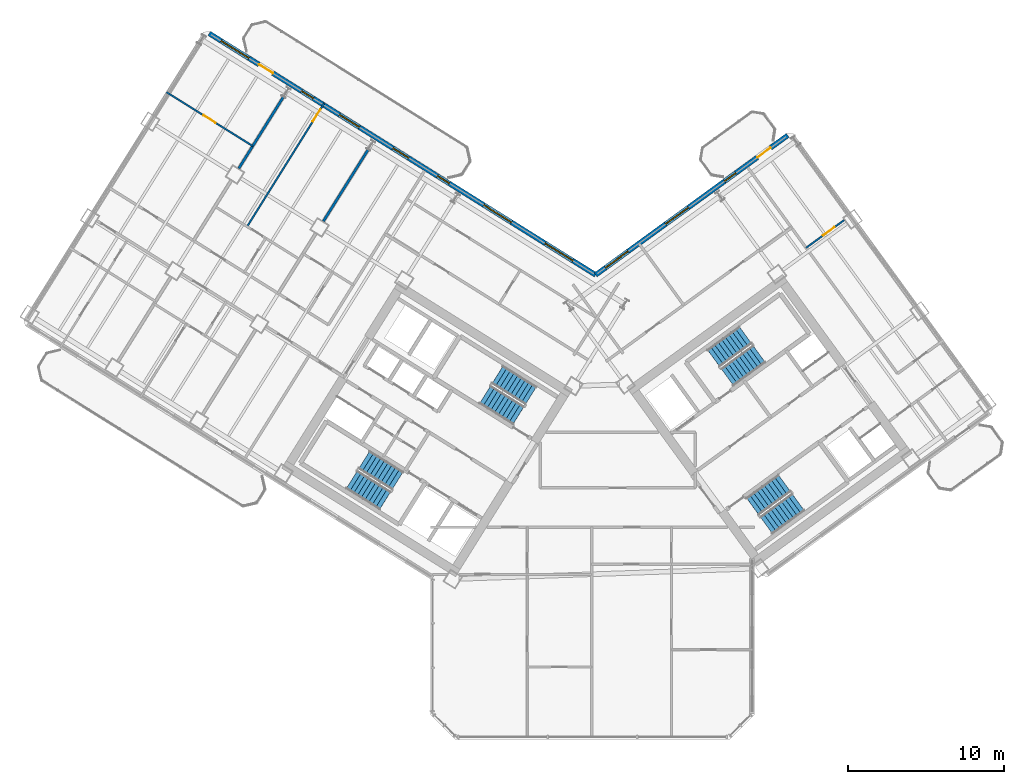
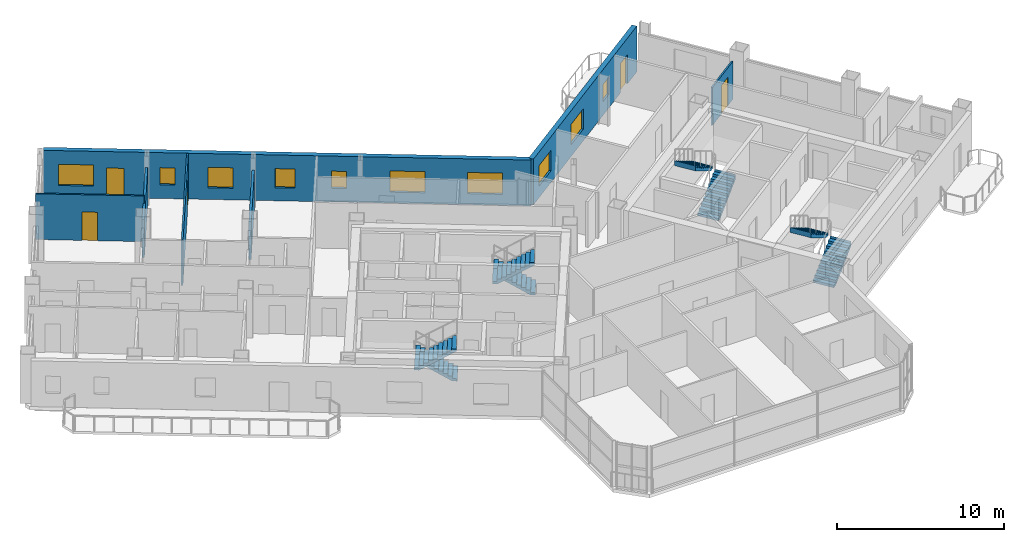
# One storey, part 16 of 21: 10 windows, 8 stair flights, 7 walls, 5 doors, 15 openings, 4 elements without a shape of their own.
"""IFC4 building model written with IfcOpenShell, lengths in metres."""

from ifc_helpers import new_model, si_unit, direction, frame, frame_2d, origin, place, context, subcontext, project, spatial, polyline, rectangle, outline, extrude, source, transform, mapped, material, layer, layer_set, type_object, element, fill, aggregate, save


model = new_model("IFC4")

# Units and contexts
model_context = context("Model", 3, precision=1e-05, world=origin(), true_north=direction((0.0, 1.0)))
body_context = subcontext(model_context, "Body", "Model", "MODEL_VIEW")
ifc_project = project(units=[si_unit("LENGTHUNIT", "METRE"), si_unit("AREAUNIT", "SQUARE_METRE"), si_unit("VOLUMEUNIT", "CUBIC_METRE"), si_unit("PLANEANGLEUNIT", "RADIAN"), si_unit("MASSUNIT", "GRAM", prefix="KILO")], contexts=[model_context])

# Site, building, storey
site_placement = place(None, origin())
site = spatial("IfcSite", under=ifc_project, at=site_placement, CompositionType="ELEMENT")
building_placement = place(site_placement, origin())
building = spatial("IfcBuilding", under=site, at=building_placement, Name="Tlacorven Tower", CompositionType="ELEMENT")
storey_placement = place(building_placement, frame((0.0, 0.0, 112.5)))
storey = spatial("IfcBuildingStorey", under=building, at=storey_placement, Name="L28", CompositionType="ELEMENT", Elevation=112.5)

# Walls
ifc_material_1 = material(Name="Gypsum plasterboard acoustic partition", Category="gypsum")
ifc_layer_1 = layer(ifc_material_1, 0.159912109375)
ifc_layer_set_1 = layer_set([ifc_layer_1], Name="Gypsum plasterboard acoustic partition")
wall_type_1 = type_object("IfcWallType", Name="WL-DEM-160", PredefinedType="PARTITIONING", material=ifc_layer_set_1)
for number, where, z_axis, x_axis, name in (
    (1, (27.607421875, 39.614990234375, 0.0), (0.0, 0.0, 1.0), (-0.529913610495, -0.848051628978, 0.0), "L28 WS Demising Wall 1"),
    (2, (22.179931640625, 43.00634765625, 0.0), (0.0, 0.0, 1.0), (-0.529913610495, -0.848051628978, 0.0), "L28 WS Demising Wall 2"),
):
    element("IfcWall", number, at=place(storey_placement, frame(where, z_axis=z_axis, x_axis=x_axis)), inside=storey, type_object=wall_type_1, Name=name, PredefinedType="PARTITIONING", context=body_context, shape_type="SweptSolid", body=[
        extrude(rectangle(XDim=5.40087890625, YDim=0.159912109375, at=frame_2d((2.700439453125, 0.0))), origin(), (0.0, 0.0, 1.0), 2.77490234375),
    ])

# Wall, openings, door, windows
ifc_material_2 = material(Name="Precast concrete C45/55", Category="concrete")
ifc_layer_2 = layer(ifc_material_2, 0.320068359375)
ifc_layer_set_2 = layer_set([ifc_layer_2], Name="Precast concrete C45/55")
wall_type_2 = type_object("IfcWallType", Name="WL-EXT-320", PredefinedType="STANDARD", material=ifc_layer_set_2)
wall_1_placement = place(storey_placement, frame((17.423828125, 47.083251953125, 0.0), z_axis=(0.0, 0.0, 1.0), x_axis=(0.848049927979, -0.529916332693, 0.0)))
wall_1 = element("IfcWall", 3, at=wall_1_placement, inside=storey, type_object=wall_type_2, Name="L28 Masonry-Frame Recessed Facade Wall 3", PredefinedType="STANDARD", context=body_context, shape_type="SweptSolid", body=[
    extrude(rectangle(XDim=29.22314453125, YDim=0.320068359375, at=frame_2d((14.611572265625, 0.0))), origin(), (0.0, 0.0, 1.0), 3.35009765625),
])
opening_1_placement = place(wall_1_placement, frame((3.77001953125, 0.0, 0.0)))
opening_1 = element("IfcOpeningElement", 4, at=opening_1_placement, cuts=wall_1, Name="Opening D06", PredefinedType="OPENING", context=body_context, shape_type="SweptSolid", body=[
    extrude(rectangle(XDim=1.050048828125, YDim=2.14990234375, at=frame_2d((0.52490234375, 1.074951171875))), frame((0.0, 0.169921875, 0.0), z_axis=(0.0, -1.0, 0.0), x_axis=(1.0, 0.0, 0.0)), (0.0, 0.0, 1.0), 0.340087890625),
])
opening_2_placement = place(wall_1_placement, frame((0.89990234375, 0.0, 0.800048828125)))
opening_2 = element("IfcOpeningElement", 5, at=opening_2_placement, cuts=wall_1, Name="Opening WN04", PredefinedType="OPENING", context=body_context, shape_type="SweptSolid", body=[
    extrude(rectangle(XDim=2.10009765625, YDim=1.550048828125, at=frame_2d((1.050048828125, 0.77490234375))), frame((0.0, 0.169921875, 0.0), z_axis=(0.0, -1.0, 0.0), x_axis=(1.0, 0.0, 0.0)), (0.0, 0.0, 1.0), 0.340087890625),
])
opening_3_placement = place(wall_1_placement, frame((6.97216796875, 0.0, 1.0)))
opening_3 = element("IfcOpeningElement", 6, at=opening_3_placement, cuts=wall_1, Name="Opening WN05", PredefinedType="OPENING", context=body_context, shape_type="SweptSolid", body=[
    extrude(rectangle(XDim=0.89990234375, YDim=1.25, at=frame_2d((0.449951171875, 0.625))), frame((0.0, 0.169921875, 0.0), z_axis=(0.0, -1.0, 0.0), x_axis=(1.0, 0.0, 0.0)), (0.0, 0.0, 1.0), 0.340087890625),
])
opening_4_placement = place(wall_1_placement, frame((9.84716796875, 0.0, 0.85009765625)))
opening_4 = element("IfcOpeningElement", 7, at=opening_4_placement, cuts=wall_1, Name="Opening WN02", PredefinedType="OPENING", context=body_context, shape_type="SweptSolid", body=[
    extrude(rectangle(XDim=1.5, YDim=1.5, at=frame_2d((0.75, 0.75))), frame((0.0, 0.169921875, 0.0), z_axis=(0.0, -1.0, 0.0), x_axis=(1.0, 0.0, 0.0)), (0.0, 0.0, 1.0), 0.340087890625),
])
opening_5_placement = place(wall_1_placement, frame((13.888671875, 0.0, 0.949951171875)))
opening_5 = element("IfcOpeningElement", 8, at=opening_5_placement, cuts=wall_1, Name="Opening WN03", PredefinedType="OPENING", context=body_context, shape_type="SweptSolid", body=[
    extrude(rectangle(XDim=1.199951171875, YDim=1.39990234375, at=frame_2d((0.60009765625, 0.699951171875))), frame((0.0, 0.169921875, 0.0), z_axis=(0.0, -1.0, 0.0), x_axis=(1.0, 0.0, 0.0)), (0.0, 0.0, 1.0), 0.340087890625),
])
opening_6_placement = place(wall_1_placement, frame((17.253662109375, 0.0, 1.0)))
opening_6 = element("IfcOpeningElement", 9, at=opening_6_placement, cuts=wall_1, Name="Opening WN05", PredefinedType="OPENING", context=body_context, shape_type="SweptSolid", body=[
    extrude(rectangle(XDim=0.89990234375, YDim=1.25, at=frame_2d((0.449951171875, 0.625))), frame((0.0, 0.169921875, 0.0), z_axis=(0.0, -1.0, 0.0), x_axis=(1.0, 0.0, 0.0)), (0.0, 0.0, 1.0), 0.340087890625),
])
opening_7_placement = place(wall_1_placement, frame((20.763671875, 0.0, 0.800048828125)))
opening_7 = element("IfcOpeningElement", 10, at=opening_7_placement, cuts=wall_1, Name="Opening WN04", PredefinedType="OPENING", context=body_context, shape_type="SweptSolid", body=[
    extrude(rectangle(XDim=2.10009765625, YDim=1.550048828125, at=frame_2d((1.050048828125, 0.77490234375))), frame((0.0, 0.169921875, 0.0), z_axis=(0.0, -1.0, 0.0), x_axis=(1.0, 0.0, 0.0)), (0.0, 0.0, 1.0), 0.340087890625),
])
opening_8_placement = place(wall_1_placement, frame((25.4033203125, 0.0, 0.800048828125)))
opening_8 = element("IfcOpeningElement", 11, at=opening_8_placement, cuts=wall_1, Name="Opening WN04", PredefinedType="OPENING", context=body_context, shape_type="SweptSolid", body=[
    extrude(rectangle(XDim=2.10009765625, YDim=1.550048828125, at=frame_2d((1.050048828125, 0.77490234375))), frame((0.0, 0.169921875, 0.0), z_axis=(0.0, -1.0, 0.0), x_axis=(1.0, 0.0, 0.0)), (0.0, 0.0, 1.0), 0.340087890625),
])
ifc_material_3 = material(Name="Powder-coated aluminium and timber door", Category="wood")
door_type_1 = type_object("IfcDoorType", Name="DR-EXT-BALC-1050", OperationType="NOTDEFINED", PredefinedType="DOOR", material=ifc_material_3)
shared_shape_1 = source(origin(), body_context, "Body", "SweptSolid", [
    extrude(rectangle(XDim=1.050048828125, YDim=2.14990234375, at=frame_2d((0.52490234375, 1.074951171875))), frame((0.0, 0.02490234375, 0.0), z_axis=(0.0, -1.0, 0.0), x_axis=(1.0, 0.0, 0.0)), (0.0, 0.0, 1.0), 0.050048828125),
])
door_1_placement = place(opening_1_placement, origin())
door_1 = element("IfcDoor", 12, at=door_1_placement, inside=storey, type_object=door_type_1, Name="L28 Outdoor Access Door BAL-L28-W-IN", OperationType="SINGLE_SWING_RIGHT", OverallHeight=2.14990234375, OverallWidth=1.050048828125, PredefinedType="DOOR", context=body_context, shape_type="MappedRepresentation", body=[
    mapped(shared_shape_1, transform((0.0, 0.0, 0.0), scale=1.0)),
])
fill(opening_1, door_1)
ifc_material_4 = material(Name="Dark solar low-E double glazing in anodised aluminium frame", Category="aluminium")
window_type_1 = type_object("IfcWindowType", Name="WN-APT-2100X1750", PartitioningType="SINGLE_PANEL", PredefinedType="WINDOW", material=ifc_material_4)
shared_shape_2 = source(origin(), body_context, "Body", "SweptSolid", [
    extrude(rectangle(XDim=2.10009765625, YDim=1.550048828125, at=frame_2d((1.050048828125, 0.77490234375))), frame((0.0, 0.030029296875, 0.0), z_axis=(0.0, -1.0, 0.0), x_axis=(1.0, 0.0, 0.0)), (0.0, 0.0, 1.0), 0.06005859375),
])
window_1_placement = place(opening_2_placement, origin())
window_1 = element("IfcWindow", 13, at=window_1_placement, inside=storey, type_object=window_type_1, Name="L28 Recessed Masonry-Frame Window L28-03.1", OverallHeight=1.550048828125, OverallWidth=2.10009765625, PartitioningType="SINGLE_PANEL", PredefinedType="WINDOW", context=body_context, shape_type="MappedRepresentation", body=[
    mapped(shared_shape_2, transform((0.0, 0.0, 0.0), scale=1.0)),
])
fill(opening_2, window_1)
window_2_placement = place(opening_7_placement, origin())
window_2 = element("IfcWindow", 14, at=window_2_placement, inside=storey, type_object=window_type_1, Name="L28 Recessed Masonry-Frame Window L28-03.6", OverallHeight=1.550048828125, OverallWidth=2.10009765625, PartitioningType="SINGLE_PANEL", PredefinedType="WINDOW", context=body_context, shape_type="MappedRepresentation", body=[
    mapped(shared_shape_2, transform((0.0, 0.0, 0.0), scale=1.0)),
])
fill(opening_7, window_2)
window_3_placement = place(opening_8_placement, origin())
window_3 = element("IfcWindow", 15, at=window_3_placement, inside=storey, type_object=window_type_1, Name="L28 Recessed Masonry-Frame Window L28-03.7", OverallHeight=1.550048828125, OverallWidth=2.10009765625, PartitioningType="SINGLE_PANEL", PredefinedType="WINDOW", context=body_context, shape_type="MappedRepresentation", body=[
    mapped(shared_shape_2, transform((0.0, 0.0, 0.0), scale=1.0)),
])
fill(opening_8, window_3)
window_type_2 = type_object("IfcWindowType", Name="WN-APT-1200X1500", PartitioningType="SINGLE_PANEL", PredefinedType="WINDOW", material=ifc_material_4)
shared_shape_3 = source(origin(), body_context, "Body", "SweptSolid", [
    extrude(rectangle(XDim=1.199951171875, YDim=1.39990234375, at=frame_2d((0.60009765625, 0.699951171875))), frame((0.0, 0.030029296875, 0.0), z_axis=(0.0, -1.0, 0.0), x_axis=(1.0, 0.0, 0.0)), (0.0, 0.0, 1.0), 0.06005859375),
])
window_4_placement = place(opening_5_placement, origin())
window_4 = element("IfcWindow", 16, at=window_4_placement, inside=storey, type_object=window_type_2, Name="L28 Recessed Masonry-Frame Window L28-03.4", OverallHeight=1.39990234375, OverallWidth=1.199951171875, PartitioningType="SINGLE_PANEL", PredefinedType="WINDOW", context=body_context, shape_type="MappedRepresentation", body=[
    mapped(shared_shape_3, transform((0.0, 0.0, 0.0), scale=1.0)),
])
fill(opening_5, window_4)
window_type_3 = type_object("IfcWindowType", Name="WN-APT-1500X1650", PartitioningType="SINGLE_PANEL", PredefinedType="WINDOW", material=ifc_material_4)
shared_shape_4 = source(origin(), body_context, "Body", "SweptSolid", [
    extrude(rectangle(XDim=1.5, YDim=1.5, at=frame_2d((0.75, 0.75))), frame((0.0, 0.030029296875, 0.0), z_axis=(0.0, -1.0, 0.0), x_axis=(1.0, 0.0, 0.0)), (0.0, 0.0, 1.0), 0.06005859375),
])
window_5_placement = place(opening_4_placement, origin())
window_5 = element("IfcWindow", 17, at=window_5_placement, inside=storey, type_object=window_type_3, Name="L28 Recessed Masonry-Frame Window L28-03.3", OverallHeight=1.5, OverallWidth=1.5, PartitioningType="SINGLE_PANEL", PredefinedType="WINDOW", context=body_context, shape_type="MappedRepresentation", body=[
    mapped(shared_shape_4, transform((0.0, 0.0, 0.0), scale=1.0)),
])
fill(opening_4, window_5)
window_type_4 = type_object("IfcWindowType", Name="WN-APT-0900X1350", PartitioningType="SINGLE_PANEL", PredefinedType="WINDOW", material=ifc_material_4)
shared_shape_5 = source(origin(), body_context, "Body", "SweptSolid", [
    extrude(rectangle(XDim=0.89990234375, YDim=1.25, at=frame_2d((0.449951171875, 0.625))), frame((0.0, 0.030029296875, 0.0), z_axis=(0.0, -1.0, 0.0), x_axis=(1.0, 0.0, 0.0)), (0.0, 0.0, 1.0), 0.06005859375),
])
window_6_placement = place(opening_3_placement, origin())
window_6 = element("IfcWindow", 18, at=window_6_placement, inside=storey, type_object=window_type_4, Name="L28 Recessed Masonry-Frame Window L28-03.2", OverallHeight=1.25, OverallWidth=0.89990234375, PartitioningType="SINGLE_PANEL", PredefinedType="WINDOW", context=body_context, shape_type="MappedRepresentation", body=[
    mapped(shared_shape_5, transform((0.0, 0.0, 0.0), scale=1.0)),
])
fill(opening_3, window_6)
window_7_placement = place(opening_6_placement, origin())
window_7 = element("IfcWindow", 19, at=window_7_placement, inside=storey, type_object=window_type_4, Name="L28 Recessed Masonry-Frame Window L28-03.5", OverallHeight=1.25, OverallWidth=0.89990234375, PartitioningType="SINGLE_PANEL", PredefinedType="WINDOW", context=body_context, shape_type="MappedRepresentation", body=[
    mapped(shared_shape_5, transform((0.0, 0.0, 0.0), scale=1.0)),
])
fill(opening_6, window_7)

wall_2_placement = place(storey_placement, frame((42.20654296875, 31.597412109375, 0.0), z_axis=(0.0, 0.0, 1.0), x_axis=(0.809020333377, 0.587780656523, 0.0)))
wall_2 = element("IfcWall", 20, at=wall_2_placement, inside=storey, type_object=wall_type_2, Name="L28 Masonry-Frame Recessed Facade Wall 4", PredefinedType="STANDARD", context=body_context, shape_type="SweptSolid", body=[
    extrude(rectangle(XDim=15.222900390625, YDim=0.320068359375, at=frame_2d((7.611328125, 0.0))), origin(), (0.0, 0.0, 1.0), 3.35009765625),
])
opening_9_placement = place(wall_2_placement, frame((12.81982421875, 0.0, 0.0)))
opening_9 = element("IfcOpeningElement", 21, at=opening_9_placement, cuts=wall_2, Name="Opening D06", PredefinedType="OPENING", context=body_context, shape_type="SweptSolid", body=[
    extrude(rectangle(XDim=1.050048828125, YDim=2.14990234375, at=frame_2d((0.52490234375, 1.074951171875))), frame((0.0, 0.169921875, 0.0), z_axis=(0.0, -1.0, 0.0), x_axis=(1.0, 0.0, 0.0)), (0.0, 0.0, 1.0), 0.340087890625),
])
opening_10_placement = place(wall_2_placement, frame((0.774658203125, 0.0, 0.85009765625)))
opening_10 = element("IfcOpeningElement", 22, at=opening_10_placement, cuts=wall_2, Name="Opening WN01", PredefinedType="OPENING", context=body_context, shape_type="SweptSolid", body=[
    extrude(rectangle(XDim=1.800048828125, YDim=1.5, at=frame_2d((0.89990234375, 0.75))), frame((0.0, 0.169921875, 0.0), z_axis=(0.0, -1.0, 0.0), x_axis=(1.0, 0.0, 0.0)), (0.0, 0.0, 1.0), 0.340087890625),
])
opening_11_placement = place(wall_2_placement, frame((5.54443359375, 0.0, 0.85009765625)))
opening_11 = element("IfcOpeningElement", 23, at=opening_11_placement, cuts=wall_2, Name="Opening WN01", PredefinedType="OPENING", context=body_context, shape_type="SweptSolid", body=[
    extrude(rectangle(XDim=1.800048828125, YDim=1.5, at=frame_2d((0.89990234375, 0.75))), frame((0.0, 0.169921875, 0.0), z_axis=(0.0, -1.0, 0.0), x_axis=(1.0, 0.0, 0.0)), (0.0, 0.0, 1.0), 0.340087890625),
])
opening_12_placement = place(wall_2_placement, frame((10.219482421875, 0.0, 1.0)))
opening_12 = element("IfcOpeningElement", 24, at=opening_12_placement, cuts=wall_2, Name="Opening WN05", PredefinedType="OPENING", context=body_context, shape_type="SweptSolid", body=[
    extrude(rectangle(XDim=0.89990234375, YDim=1.25, at=frame_2d((0.449951171875, 0.625))), frame((0.0, 0.169921875, 0.0), z_axis=(0.0, -1.0, 0.0), x_axis=(1.0, 0.0, 0.0)), (0.0, 0.0, 1.0), 0.340087890625),
])
door_2_placement = place(opening_9_placement, origin())
door_2 = element("IfcDoor", 25, at=door_2_placement, inside=storey, type_object=door_type_1, Name="L28 Outdoor Access Door BAL-L28-E-IN", OperationType="SINGLE_SWING_RIGHT", OverallHeight=2.14990234375, OverallWidth=1.050048828125, PredefinedType="DOOR", context=body_context, shape_type="MappedRepresentation", body=[
    mapped(shared_shape_1, transform((0.0, 0.0, 0.0), scale=1.0)),
])
fill(opening_9, door_2)
window_type_5 = type_object("IfcWindowType", Name="WN-APT-1800X1650", PartitioningType="SINGLE_PANEL", PredefinedType="WINDOW", material=ifc_material_4)
shared_shape_6 = source(origin(), body_context, "Body", "SweptSolid", [
    extrude(rectangle(XDim=1.800048828125, YDim=1.5, at=frame_2d((0.89990234375, 0.75))), frame((0.0, 0.030029296875, 0.0), z_axis=(0.0, -1.0, 0.0), x_axis=(1.0, 0.0, 0.0)), (0.0, 0.0, 1.0), 0.06005859375),
])
window_8_placement = place(opening_10_placement, origin())
window_8 = element("IfcWindow", 26, at=window_8_placement, inside=storey, type_object=window_type_5, Name="L28 Recessed Masonry-Frame Window L28-04.1", OverallHeight=1.5, OverallWidth=1.800048828125, PartitioningType="SINGLE_PANEL", PredefinedType="WINDOW", context=body_context, shape_type="MappedRepresentation", body=[
    mapped(shared_shape_6, transform((0.0, 0.0, 0.0), scale=1.0)),
])
fill(opening_10, window_8)
window_9_placement = place(opening_11_placement, origin())
window_9 = element("IfcWindow", 27, at=window_9_placement, inside=storey, type_object=window_type_5, Name="L28 Recessed Masonry-Frame Window L28-04.2", OverallHeight=1.5, OverallWidth=1.800048828125, PartitioningType="SINGLE_PANEL", PredefinedType="WINDOW", context=body_context, shape_type="MappedRepresentation", body=[
    mapped(shared_shape_6, transform((0.0, 0.0, 0.0), scale=1.0)),
])
fill(opening_11, window_9)
window_10_placement = place(opening_12_placement, origin())
window_10 = element("IfcWindow", 28, at=window_10_placement, inside=storey, type_object=window_type_4, Name="L28 Recessed Masonry-Frame Window L28-04.3", OverallHeight=1.25, OverallWidth=0.89990234375, PartitioningType="SINGLE_PANEL", PredefinedType="WINDOW", context=body_context, shape_type="MappedRepresentation", body=[
    mapped(shared_shape_5, transform((0.0, 0.0, 0.0), scale=1.0)),
])
fill(opening_12, window_10)

# Wall, opening, door
ifc_material_5 = material(Name="Gypsum plasterboard partition", Category="gypsum")
ifc_layer_3 = layer(ifc_material_5, 0.110107421875)
ifc_layer_set_3 = layer_set([ifc_layer_3], Name="Gypsum plasterboard partition")
wall_type_3 = type_object("IfcWallType", Name="WL-INT-110", PredefinedType="PARTITIONING", material=ifc_layer_set_3)
wall_3_placement = place(storey_placement, frame((24.802490234375, 42.614013671875, 0.0), z_axis=(0.0, 0.0, 1.0), x_axis=(-0.529926099889, -0.848043824727, 0.0)))
wall_3 = element("IfcWall", 29, at=wall_3_placement, inside=storey, type_object=wall_type_3, Name="L28 partition 67", PredefinedType="PARTITIONING", context=body_context, shape_type="SweptSolid", body=[
    extrude(rectangle(XDim=9.33984375, YDim=0.110107421875, at=frame_2d((4.669921875, 0.0))), origin(), (0.0, 0.0, 1.0), 3.340087890625),
])
opening_13_placement = place(wall_3_placement, frame((0.469970703125, 0.0, 0.0)))
opening_13 = element("IfcOpeningElement", 30, at=opening_13_placement, cuts=wall_3, Name="Opening D12", PredefinedType="OPENING", context=body_context, shape_type="SweptSolid", body=[
    extrude(rectangle(XDim=0.919921875, YDim=2.080078125, at=frame_2d((0.4599609375, 1.0400390625))), frame((0.0, 0.06494140625, 0.0), z_axis=(0.0, -1.0, 0.0), x_axis=(1.0, 0.0, 0.0)), (0.0, 0.0, 1.0), 0.130126953125),
])
door_type_2 = type_object("IfcDoorType", Name="DR-INT-ROOM-0920", OperationType="NOTDEFINED", PredefinedType="DOOR", material=ifc_material_3)
shared_shape_7 = source(origin(), body_context, "Body", "SweptSolid", [
    extrude(rectangle(XDim=0.919921875, YDim=2.080078125, at=frame_2d((0.4599609375, 1.0400390625))), frame((0.0, 0.02490234375, 0.0), z_axis=(0.0, -1.0, 0.0), x_axis=(1.0, 0.0, 0.0)), (0.0, 0.0, 1.0), 0.050048828125),
])
door_3_placement = place(opening_13_placement, origin())
door_3 = element("IfcDoor", 31, at=door_3_placement, inside=storey, type_object=door_type_2, Name="L28 door 037", OperationType="SINGLE_SWING_RIGHT", OverallHeight=2.080078125, OverallWidth=0.919921875, PredefinedType="DOOR", context=body_context, shape_type="MappedRepresentation", body=[
    mapped(shared_shape_7, transform((0.0, 0.0, 0.0), scale=1.0)),
])
fill(opening_13, door_3)

wall_4_placement = place(storey_placement, frame((20.21337890625, 39.859375, 0.0), z_axis=(0.0, 0.0, 1.0), x_axis=(-0.848048787466, 0.529918157905, 0.0)))
wall_4 = element("IfcWall", 32, at=wall_4_placement, inside=storey, type_object=wall_type_3, Name="L28 partition 68", PredefinedType="PARTITIONING", context=body_context, shape_type="SweptSolid", body=[
    extrude(rectangle(XDim=6.52001953125, YDim=0.110107421875, at=frame_2d((3.260009765625, 0.0))), origin(), (0.0, 0.0, 1.0), 3.340087890625),
])
opening_14_placement = place(wall_4_placement, frame((2.800048828125, 0.0, 0.0)))
opening_14 = element("IfcOpeningElement", 33, at=opening_14_placement, cuts=wall_4, Name="Opening D12", PredefinedType="OPENING", context=body_context, shape_type="SweptSolid", body=[
    extrude(rectangle(XDim=0.919921875, YDim=2.080078125, at=frame_2d((0.4599609375, 1.0400390625))), frame((0.0, 0.06494140625, 0.0), z_axis=(0.0, -1.0, 0.0), x_axis=(1.0, 0.0, 0.0)), (0.0, 0.0, 1.0), 0.130126953125),
])
door_4_placement = place(opening_14_placement, origin())
door_4 = element("IfcDoor", 34, at=door_4_placement, inside=storey, type_object=door_type_2, Name="L28 door 042", OperationType="SINGLE_SWING_LEFT", OverallHeight=2.080078125, OverallWidth=0.919921875, PredefinedType="DOOR", context=body_context, shape_type="MappedRepresentation", body=[
    mapped(shared_shape_7, transform((0.0, 0.0, 0.0), scale=1.0)),
])
fill(opening_14, door_4)

wall_5_placement = place(storey_placement, frame((55.70263671875, 33.333984375, 0.0), z_axis=(0.0, 0.0, 1.0), x_axis=(0.809021891479, 0.587778511948, 0.0)))
wall_5 = element("IfcWall", 35, at=wall_5_placement, inside=storey, type_object=wall_type_3, Name="L28 partition 97", PredefinedType="PARTITIONING", context=body_context, shape_type="SweptSolid", body=[
    extrude(rectangle(XDim=3.028076171875, YDim=0.110107421875, at=frame_2d((1.51416015625, 0.0))), origin(), (0.0, 0.0, 1.0), 2.77490234375),
])
opening_15_placement = place(wall_5_placement, frame((1.344970703125, 0.0, 0.0)))
opening_15 = element("IfcOpeningElement", 36, at=opening_15_placement, cuts=wall_5, Name="Opening D12", PredefinedType="OPENING", context=body_context, shape_type="SweptSolid", body=[
    extrude(rectangle(XDim=0.919921875, YDim=2.080078125, at=frame_2d((0.4599609375, 1.0400390625))), frame((0.0, 0.06494140625, 0.0), z_axis=(0.0, -1.0, 0.0), x_axis=(1.0, 0.0, 0.0)), (0.0, 0.0, 1.0), 0.130126953125),
])
door_5_placement = place(opening_15_placement, origin())
door_5 = element("IfcDoor", 37, at=door_5_placement, inside=storey, type_object=door_type_2, Name="L28 door 062", OperationType="SINGLE_SWING_LEFT", OverallHeight=2.080078125, OverallWidth=0.919921875, PredefinedType="DOOR", context=body_context, shape_type="MappedRepresentation", body=[
    mapped(shared_shape_7, transform((0.0, 0.0, 0.0), scale=1.0)),
])
fill(opening_15, door_5)

# Stair, stair flights
ifc_material_6 = material(Name="Concrete C40/50", Category="concrete")
stair_type = type_object("IfcStairType", Name="ST-CORE-DLG", PredefinedType="HALF_TURN_STAIR", material=ifc_material_6)
stair_1_placement = place(storey_placement, origin())
stair_1 = element("IfcStair", 38, at=stair_1_placement, inside=storey, type_object=stair_type, Name="L28 Protected Exit Stair West 1", PredefinedType="HALF_TURN_STAIR")
stair_flight_type = type_object("IfcStairFlightType", Name="SFL-RC-1380", PredefinedType="STRAIGHT", material=ifc_material_6)
shared_shape_8 = source(origin(), body_context, "Body", "SweptSolid", [
    extrude(outline(polyline([(-0.0029296875, -0.0029296875), (-0.0029296875, 0.179931640625), (0.280029296875, 0.179931640625), (0.280029296875, 0.360107421875), (0.56005859375, 0.360107421875), (0.56005859375, 0.5400390625), (0.840087890625, 0.5400390625), (0.840087890625, 0.719970703125), (1.1201171875, 0.719970703125), (1.1201171875, 0.89990234375), (1.39990234375, 0.89990234375), (1.39990234375, 1.080078125), (1.679931640625, 1.080078125), (1.679931640625, 1.260009765625), (1.9599609375, 1.260009765625), (1.9599609375, 1.43994140625), (2.239990234375, 1.43994140625), (2.239990234375, 1.6201171875), (2.52001953125, 1.6201171875), (2.52001953125, 1.800048828125), (2.52294921875, 1.800048828125), (2.52294921875, 1.429931640625), (2.52001953125, 1.429931640625), (0.295654296875, 0.0), (0.295654296875, -0.0029296875), (-0.0029296875, -0.0029296875)])), frame((0.0, 0.68994140625, 0.0), z_axis=(0.0, -1.0, 0.0), x_axis=(1.0, 0.0, 0.0)), (0.0, 0.0, 1.0), 1.3798828125),
])
stair_flight_1_placement = place(storey_placement, frame((29.499755859375, 18.39453125, 0.0), z_axis=(0.0, 0.0, 1.0), x_axis=(-0.848048096156, 0.529919264233, 0.0)))
stair_flight_1 = element("IfcStairFlight", 39, at=stair_flight_1_placement, type_object=stair_flight_type, Name="ST-W1 flight 1", NumberOfRisers=10, NumberOfTreads=9, PredefinedType="STRAIGHT", RiserHeight=0.18, TreadLength=0.28, context=body_context, shape_type="MappedRepresentation", body=[
    mapped(shared_shape_8, transform((0.0, 0.0, 0.0), scale=1.0)),
])
stair_flight_2_placement = place(storey_placement, frame((26.56787109375, 18.4580078125, 1.800048828125), z_axis=(0.0, 0.0, 1.0), x_axis=(0.848048096156, -0.529919264233, 0.0)))
stair_flight_2 = element("IfcStairFlight", 40, at=stair_flight_2_placement, type_object=stair_flight_type, Name="ST-W1 flight 2", NumberOfRisers=10, NumberOfTreads=9, PredefinedType="STRAIGHT", RiserHeight=0.18, TreadLength=0.28, context=body_context, shape_type="MappedRepresentation", body=[
    mapped(shared_shape_8, transform((0.0, 0.0, 0.0), scale=1.0)),
])
aggregate(stair_1, [stair_flight_1, stair_flight_2])

stair_2_placement = place(storey_placement, origin())
stair_2 = element("IfcStair", 41, at=stair_2_placement, inside=storey, type_object=stair_type, Name="L28 Protected Exit Stair West 2", PredefinedType="HALF_TURN_STAIR")
stair_flight_3_placement = place(storey_placement, frame((38.051513671875, 23.852294921875, 0.0), z_axis=(0.0, 0.0, 1.0), x_axis=(-0.848048096156, 0.529919264233, 0.0)))
stair_flight_3 = element("IfcStairFlight", 42, at=stair_flight_3_placement, type_object=stair_flight_type, Name="ST-W2 flight 1", NumberOfRisers=10, NumberOfTreads=9, PredefinedType="STRAIGHT", RiserHeight=0.18, TreadLength=0.28, context=body_context, shape_type="MappedRepresentation", body=[
    mapped(shared_shape_8, transform((0.0, 0.0, 0.0), scale=1.0)),
])
stair_flight_4_placement = place(storey_placement, frame((35.119384765625, 23.91552734375, 1.800048828125), z_axis=(0.0, 0.0, 1.0), x_axis=(0.848048096156, -0.529919264233, 0.0)))
stair_flight_4 = element("IfcStairFlight", 43, at=stair_flight_4_placement, type_object=stair_flight_type, Name="ST-W2 flight 2", NumberOfRisers=10, NumberOfTreads=9, PredefinedType="STRAIGHT", RiserHeight=0.18, TreadLength=0.28, context=body_context, shape_type="MappedRepresentation", body=[
    mapped(shared_shape_8, transform((0.0, 0.0, 0.0), scale=1.0)),
])
aggregate(stair_2, [stair_flight_3, stair_flight_4])

stair_3_placement = place(storey_placement, origin())
stair_3 = element("IfcStair", 44, at=stair_3_placement, inside=storey, type_object=stair_type, Name="L28 Protected Exit Stair East 1", PredefinedType="HALF_TURN_STAIR")
stair_flight_5_placement = place(storey_placement, frame((50.6533203125, 25.0400390625, 0.0), z_axis=(0.0, 0.0, 1.0), x_axis=(0.809016994375, 0.587785252292, 0.0)))
stair_flight_5 = element("IfcStairFlight", 45, at=stair_flight_5_placement, type_object=stair_flight_type, Name="ST-E1 flight 1", NumberOfRisers=10, NumberOfTreads=9, PredefinedType="STRAIGHT", RiserHeight=0.18, TreadLength=0.28, context=body_context, shape_type="MappedRepresentation", body=[
    mapped(shared_shape_8, transform((0.0, 0.0, 0.0), scale=1.0)),
])
stair_flight_6_placement = place(storey_placement, frame((51.810546875, 27.734619140625, 1.800048828125), z_axis=(0.0, 0.0, 1.0), x_axis=(-0.809016994375, -0.587785252292, 0.0)))
stair_flight_6 = element("IfcStairFlight", 46, at=stair_flight_6_placement, type_object=stair_flight_type, Name="ST-E1 flight 2", NumberOfRisers=10, NumberOfTreads=9, PredefinedType="STRAIGHT", RiserHeight=0.18, TreadLength=0.28, context=body_context, shape_type="MappedRepresentation", body=[
    mapped(shared_shape_8, transform((0.0, 0.0, 0.0), scale=1.0)),
])
aggregate(stair_3, [stair_flight_5, stair_flight_6])

stair_4_placement = place(storey_placement, origin())
stair_4 = element("IfcStair", 47, at=stair_4_placement, inside=storey, type_object=stair_type, Name="L28 Protected Exit Stair East 2", PredefinedType="HALF_TURN_STAIR")
stair_flight_7_placement = place(storey_placement, frame((53.157470703125, 15.536865234375, 0.0), z_axis=(0.0, 0.0, 1.0), x_axis=(0.809016994375, 0.587785252292, 0.0)))
stair_flight_7 = element("IfcStairFlight", 48, at=stair_flight_7_placement, type_object=stair_flight_type, Name="ST-E2 flight 1", NumberOfRisers=10, NumberOfTreads=9, PredefinedType="STRAIGHT", RiserHeight=0.18, TreadLength=0.28, context=body_context, shape_type="MappedRepresentation", body=[
    mapped(shared_shape_8, transform((0.0, 0.0, 0.0), scale=1.0)),
])
stair_flight_8_placement = place(storey_placement, frame((54.314453125, 18.231689453125, 1.800048828125), z_axis=(0.0, 0.0, 1.0), x_axis=(-0.809016994375, -0.587785252292, 0.0)))
stair_flight_8 = element("IfcStairFlight", 49, at=stair_flight_8_placement, type_object=stair_flight_type, Name="ST-E2 flight 2", NumberOfRisers=10, NumberOfTreads=9, PredefinedType="STRAIGHT", RiserHeight=0.18, TreadLength=0.28, context=body_context, shape_type="MappedRepresentation", body=[
    mapped(shared_shape_8, transform((0.0, 0.0, 0.0), scale=1.0)),
])
aggregate(stair_4, [stair_flight_7, stair_flight_8])

save(model, "model.ifc")
